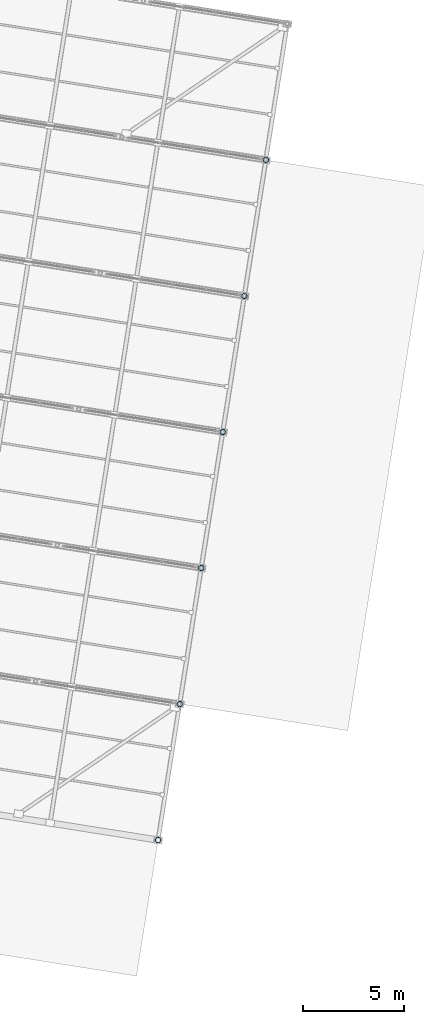
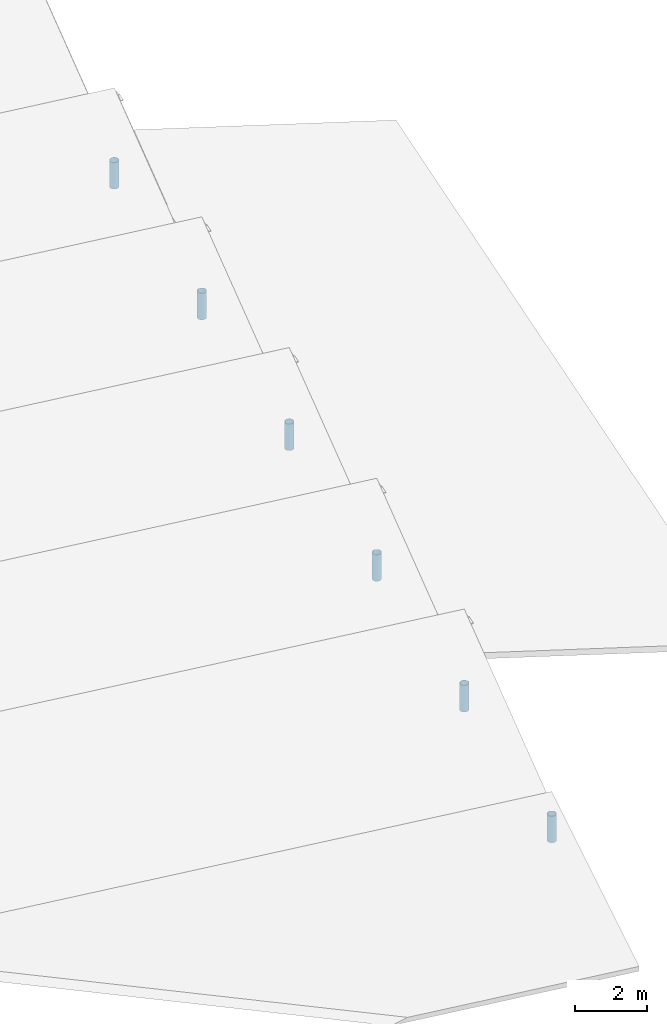
# One storey, part 12 of 65: 6 columns.
"""IFC4 building model written with IfcOpenShell, lengths in metres."""

import ifcopenshell
import ifcopenshell.guid

model = None  # the IFC model being written
_history = None  # IfcOwnerHistory: only IFC2X3 demands one
_inside = {}  # id of a spatial element -> (the spatial element, [elements in it])
_under = {}  # id of a project, library or spatial element -> (it, [spatial elements below it])
_declared = {}  # id of a project -> (the project, [libraries it declares])
_typed = {}  # id of a type object -> (the type object, [elements of that type])
_made_of = {}  # id of a material, layer set ... -> (it, [elements and type objects made of it])


def new_model(schema):
    """Start an empty IFC model of exactly this schema.

    Asked for "IFC4X3", IfcOpenShell would pick the latest addendum, in which some entities
    have other attributes; the version numbers below select the first issue.
    IFC2X3 requires an IfcOwnerHistory on every rooted entity: one is made here for all.
    """
    global model, _history
    if schema == "IFC4X3":
        model = ifcopenshell.file(schema_version=(4, 3, 0, 0))
    else:
        model = ifcopenshell.file(schema=schema)
    _inside.clear()
    _under.clear()
    _declared.clear()
    _typed.clear()
    _made_of.clear()
    _history = None
    if model.schema == "IFC2X3":
        org = make("IfcOrganization", Name="unknown")
        user = make(
            "IfcPersonAndOrganization",
            ThePerson=make("IfcPerson", FamilyName="unknown"),
            TheOrganization=org,
        )
        app = make(
            "IfcApplication",
            ApplicationDeveloper=org,
            Version="unknown",
            ApplicationFullName="unknown",
            ApplicationIdentifier="unknown",
        )
        _history = make(
            "IfcOwnerHistory",
            OwningUser=user,
            OwningApplication=app,
            ChangeAction="ADDED",
            CreationDate=0,
        )
    return model


def make(cls, **values):
    """One entity of the class cls with the attributes given. An attribute that is None is left unset."""
    return model.create_entity(
        cls, **{name: value for name, value in values.items() if value is not None}
    )


def rooted(cls, **values):
    """An entity with a GlobalId (a new one), such as an element, a storey or a relation."""
    return make(cls, GlobalId=ifcopenshell.guid.new(), OwnerHistory=_history, **values)


def si_unit(unit_type, name, prefix=None):
    """IfcSIUnit, for example si_unit("LENGTHUNIT", "METRE", prefix="MILLI")."""
    return make("IfcSIUnit", UnitType=unit_type, Prefix=prefix, Name=name)


def assignment(units):
    """IfcUnitAssignment: the units of a project."""
    return None if units is None else make("IfcUnitAssignment", Units=units)


def point(xyz):
    """IfcCartesianPoint."""
    return None if xyz is None else make("IfcCartesianPoint", Coordinates=xyz)


def direction(xyz):
    """IfcDirection."""
    return None if xyz is None else make("IfcDirection", DirectionRatios=xyz)


def frame(location, z_axis=None, x_axis=None):
    """IfcAxis2Placement3D, a coordinate frame: its origin and axes. An axis left out is left unset."""
    return make(
        "IfcAxis2Placement3D",
        Location=point(location),
        Axis=direction(z_axis),
        RefDirection=direction(x_axis),
    )


def frame_2d(location, x_axis=None):
    """IfcAxis2Placement2D, a coordinate frame in the plane: its origin and x axis."""
    return make(
        "IfcAxis2Placement2D", Location=point(location), RefDirection=direction(x_axis)
    )


def origin():
    """The frame at (0, 0, 0) with its axes left unset."""
    return frame((0.0, 0.0, 0.0))


def origin_2d():
    """The frame at (0, 0) in the plane with its x axis left unset."""
    return frame_2d((0.0, 0.0))


def place(relative_to, where):
    """IfcLocalPlacement: puts the frame where relative to a parent placement (None: the world)."""
    return make(
        "IfcLocalPlacement", PlacementRelTo=relative_to, RelativePlacement=where
    )


def context(
    kind, dimensions, precision=None, world=None, true_north=None, identifier=None
):
    """IfcGeometricRepresentationContext, for example the 3D "Model" context."""
    return make(
        "IfcGeometricRepresentationContext",
        ContextIdentifier=identifier,
        ContextType=kind,
        CoordinateSpaceDimension=dimensions,
        Precision=precision,
        WorldCoordinateSystem=world,
        TrueNorth=true_north,
    )


def subcontext(parent, identifier, kind, view, scale=None):
    """IfcGeometricRepresentationSubContext, for example "Body" below "Model"."""
    return make(
        "IfcGeometricRepresentationSubContext",
        ContextIdentifier=identifier,
        ContextType=kind,
        ParentContext=parent,
        TargetScale=scale,
        TargetView=view,
    )


def project(units=None, contexts=None):
    """IfcProject with its units and contexts."""
    return rooted(
        "IfcProject",
        Name="project",
        RepresentationContexts=contexts,
        UnitsInContext=assignment(units),
    )


def spatial(cls, under=None, at=None, **own):
    """A site, building, storey or space (cls), placed at a placement, below another one or the project."""
    s = rooted(cls, ObjectPlacement=at, **own)
    if under is not None:
        _under.setdefault(under.id(), (under, []))[1].append(s)
    return s


def profile(cls, at=None, kind="AREA", **sizes):
    """A parametric profile (cls). Its sizes go by their IFC names, for example OverallWidth=200.0."""
    return make(cls, ProfileType=kind, Position=at, **sizes)


def hollow_circle(**sizes):
    """IfcCircleHollowProfileDef."""
    return profile("IfcCircleHollowProfileDef", **sizes)


def extrude(swept, where, along, depth):
    """IfcExtrudedAreaSolid: the profile swept, set in the frame where, extruded along a direction by depth."""
    return make(
        "IfcExtrudedAreaSolid",
        SweptArea=swept,
        Position=where,
        ExtrudedDirection=direction(along),
        Depth=depth,
    )


def shape(context_of_items, identifier, shape_type, items):
    """IfcShapeRepresentation: the items that make up one representation, for example the "Body"."""
    return make(
        "IfcShapeRepresentation",
        ContextOfItems=context_of_items,
        RepresentationIdentifier=identifier,
        RepresentationType=shape_type,
        Items=items,
    )


def material(Name=None, Category=None):
    """IfcMaterial."""
    return make("IfcMaterial", Name=Name, Category=Category)


def material_profile(
    of_material, cross_section, Name=None, Category=None, Priority=None
):
    """IfcMaterialProfile: a cross section and its material."""
    return make(
        "IfcMaterialProfile",
        Name=Name,
        Material=of_material,
        Profile=cross_section,
        Priority=Priority,
        Category=Category,
    )


def profile_set(profiles, Name=None, composite=None):
    """IfcMaterialProfileSet."""
    return make(
        "IfcMaterialProfileSet",
        Name=Name,
        MaterialProfiles=profiles,
        CompositeProfile=composite,
    )


def made_of(thing, what):
    """Note that an element or type object is made of a material, layer set ...; save() writes the relation."""
    if what is not None:
        _made_of.setdefault(what.id(), (what, []))[1].append(thing)
    return thing


def type_object(cls, material=None, **own):
    """A type object (cls), such as IfcWallType, which elements share."""
    return made_of(rooted(cls, **own), material)


def element(
    cls,
    number,
    at=None,
    inside=None,
    cuts=None,
    type_object=None,
    material=None,
    context=None,
    identifier="Body",
    shape_type=None,
    held_by="IfcProductDefinitionShape",
    body=None,
    shapes=None,
    **own,
):
    """One element of the class cls, such as IfcWall. Its Tag is "e" and its number.

    at: its placement. inside: the storey or other place that contains it. cuts: it is an
    opening in that element (IfcRelVoidsElement). A single representation is given by context,
    identifier, shape_type and body (its items); several are given by shapes. held_by: the class
    of the entity that holds the representations. save() writes the other relations.
    """
    e = rooted(cls, Tag="e%d" % number, ObjectPlacement=at, **own)
    if body is not None:
        shapes = [shape(context, identifier, shape_type, body)]
    if shapes is not None:
        e.Representation = make(held_by, Representations=shapes)
    if inside is not None:
        _inside.setdefault(inside.id(), (inside, []))[1].append(e)
    if cuts is not None:
        rooted(
            "IfcRelVoidsElement", RelatingBuildingElement=cuts, RelatedOpeningElement=e
        )
    if type_object is not None:
        _typed.setdefault(type_object.id(), (type_object, []))[1].append(e)
    return made_of(e, material)


def aggregate(whole, parts):
    """IfcRelAggregates: a whole, such as a stair, and the parts it consists of."""
    return rooted("IfcRelAggregates", RelatingObject=whole, RelatedObjects=parts)


def save(model, path):
    """Write the relations noted so far, then the file.

    IfcRelAggregates (storeys below a building ...), IfcRelContainedInSpatialStructure (elements
    in a storey), IfcRelDefinesByType, IfcRelAssociatesMaterial and IfcRelDeclares: one each for
    every whole, place, type object, material and project.
    """
    for whole, parts in _under.values():
        aggregate(whole, parts)
    for where, things in _inside.values():
        rooted(
            "IfcRelContainedInSpatialStructure",
            RelatedElements=things,
            RelatingStructure=where,
        )
    for kind, things in _typed.values():
        rooted("IfcRelDefinesByType", RelatedObjects=things, RelatingType=kind)
    for what, things in _made_of.values():
        rooted("IfcRelAssociatesMaterial", RelatedObjects=things, RelatingMaterial=what)
    for by, libraries in _declared.values():
        rooted("IfcRelDeclares", RelatingContext=by, RelatedDefinitions=libraries)
    model.write(path)


model = new_model("IFC4")

# Units and contexts
model_context = context("Model", 3, precision=1e-05, world=origin(), true_north=direction((0.0, 1.0)))
body_context = subcontext(model_context, "Body", "Model", "MODEL_VIEW")
ifc_project = project(units=[si_unit("LENGTHUNIT", "METRE"), si_unit("AREAUNIT", "SQUARE_METRE"), si_unit("VOLUMEUNIT", "CUBIC_METRE"), si_unit("PLANEANGLEUNIT", "RADIAN"), si_unit("MASSUNIT", "GRAM", prefix="KILO")], contexts=[model_context])

# Site, building, storey
site_placement = place(None, origin())
site = spatial("IfcSite", under=ifc_project, at=site_placement, CompositionType="ELEMENT")
building_placement = place(site_placement, origin())
building = spatial("IfcBuilding", under=site, at=building_placement, Name="Cinderway Yard Community Centre", CompositionType="ELEMENT")
storey_placement = place(building_placement, frame((0.0, 0.0, 24.300048828125)))
storey = spatial("IfcBuildingStorey", under=building, at=storey_placement, Name="RF", CompositionType="ELEMENT", Elevation=24.300048828125)

# Columns
ifc_material = material(Name="Steel S355", Category="steel")
ifc_material_profile = material_profile(ifc_material, hollow_circle(Radius=0.136474609375, WallThickness=0.012451171875, at=origin_2d()), Name="Steel S355")
ifc_profile_set = profile_set([ifc_material_profile], Name="Steel S355")
column_type = type_object("IfcColumnType", Name="STR-POST-CHS273", PredefinedType="PILASTER", material=ifc_profile_set)
for number, where, z_axis, x_axis, name in (
    (1, (139.333984375, 34.62109375, -11.400146484375), (0.0, 0.0, 1.0), (1.0, 0.0, 0.0), "Sports Hall roof post E01"),
    (2, (140.39794921875, 41.3369140625, -11.400146484375), (0.0, 0.0, 1.0), (1.0, 0.0, 0.0), "Sports Hall roof post E02"),
    (3, (141.4619140625, 48.053955078125, -11.400146484375), (0.0, 0.0, 1.0), (1.0, 0.0, 0.0), "Sports Hall roof post E03"),
    (4, (142.52490234375, 54.77001953125, -11.400146484375), (0.0, 0.0, 1.0), (1.0, 0.0, 0.0), "Sports Hall roof post E04"),
    (5, (143.589111328125, 61.486083984375, -11.400146484375), (0.0, 0.0, 1.0), (1.0, 0.0, 0.0), "Sports Hall roof post E05"),
    (6, (144.653076171875, 68.201904296875, -11.400146484375), (0.0, 0.0, 1.0), (1.0, 0.0, 0.0), "Sports Hall roof post E06"),
):
    element("IfcColumn", number, at=place(storey_placement, frame(where, z_axis=z_axis, x_axis=x_axis)), inside=storey, type_object=column_type, Name=name, PredefinedType="PILASTER", context=body_context, shape_type="SweptSolid", body=[
        extrude(hollow_circle(Radius=0.136474609375, WallThickness=0.012451171875, at=origin_2d()), origin(), (0.0, 0.0, 1.0), 0.900146484375),
    ])

save(model, "model.ifc")
